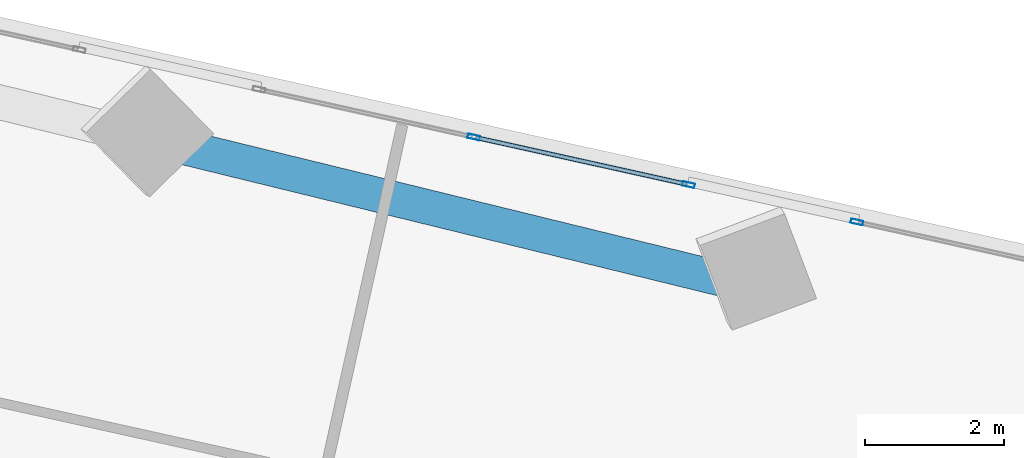
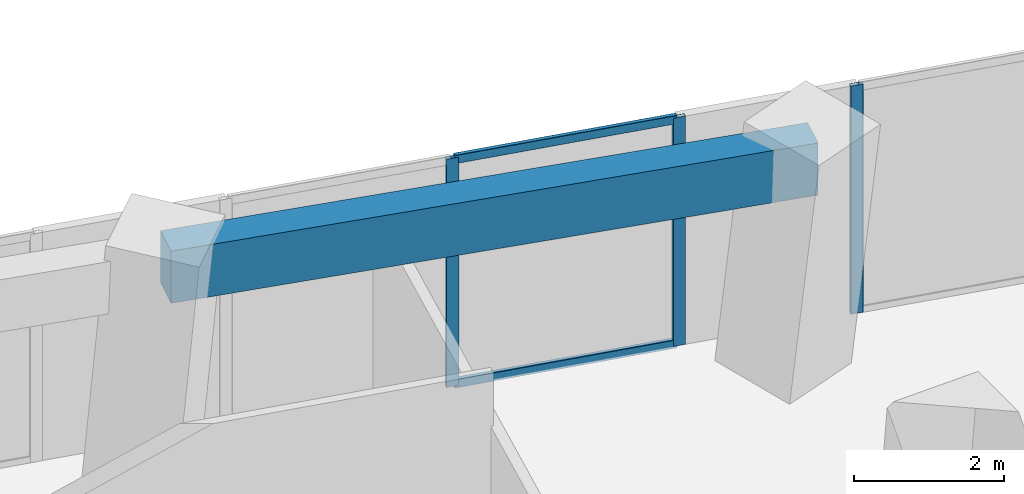
# One storey, part 18 of 25: 5 members, 1 beam, 2 elements without a shape of their own.
"""IFC4 building model written with IfcOpenShell, lengths in metres."""

from ifc_helpers import new_model, si_unit, direction, frame, origin, origin_2d, place, context, subcontext, project, spatial, rectangle, hollow_rectangle, extrude, source, transform, mapped, material, material_profile, profile_set, type_object, element, aggregate, save


model = new_model("IFC4")

# Units and contexts
model_context = context("Model", 3, precision=1e-05, world=origin(), true_north=direction((0.0, 1.0)))
body_context = subcontext(model_context, "Body", "Model", "MODEL_VIEW")
ifc_project = project(units=[si_unit("LENGTHUNIT", "METRE"), si_unit("AREAUNIT", "SQUARE_METRE"), si_unit("VOLUMEUNIT", "CUBIC_METRE"), si_unit("PLANEANGLEUNIT", "RADIAN"), si_unit("MASSUNIT", "GRAM", prefix="KILO")], contexts=[model_context])

# Site, building, storey
site_placement = place(None, origin())
site = spatial("IfcSite", under=ifc_project, at=site_placement, CompositionType="ELEMENT")
building_placement = place(site_placement, origin())
building = spatial("IfcBuilding", under=site, at=building_placement, Name="Torre Montelarca", CompositionType="ELEMENT")
storey_placement = place(building_placement, frame((0.0, 0.0, 91.60009765625)))
storey = spatial("IfcBuildingStorey", under=building, at=storey_placement, Name="L20", CompositionType="ELEMENT", Elevation=91.60009765625)

# Beam
ifc_material_1 = material(Name="Concrete C55/67", Category="concrete")
ifc_material_profile_1 = material_profile(ifc_material_1, rectangle(XDim=0.5, YDim=0.85009765625, at=origin_2d()), Name="RCB500X850", Category="concrete")
ifc_profile_set_1 = profile_set([ifc_material_profile_1], Name="Concrete C55/67")
beam_type = type_object("IfcBeamType", Name="BM-SP-RC850-EXT", PredefinedType="SPANDREL", material=ifc_profile_set_1)
shared_shape_1 = source(origin(), body_context, "Body", "SweptSolid", [
    extrude(rectangle(XDim=0.5, YDim=0.85009765625, at=origin_2d()), origin(), (0.0, 0.0, 1.0), 9.0),
])
beam_placement = place(storey_placement, frame((30.443359375, 45.40869140625, 3.534912109375), z_axis=(0.971335287657, -0.237713606997, 0.0), x_axis=(0.237713606997, 0.971335287657, 0.0)))
element("IfcBeam", 1, at=beam_placement, inside=storey, type_object=beam_type, Name="L20 Grid Girder X 27.0-36.0 at Y=47.1", PredefinedType="SPANDREL", context=body_context, shape_type="MappedRepresentation", body=[
    mapped(shared_shape_1, transform((0.0, 0.0, 0.0), scale=1.0)),
])

# Curtain wall, members
ifc_material_2 = material(Name="Insulated low-E laminated glass", Category="glass")
curtain_wall_type = type_object("IfcCurtainWallType", Name="CW-SYS-Z1", PredefinedType="USERDEFINED", material=ifc_material_2)
curtain_wall_1_placement = place(storey_placement, origin())
curtain_wall_1 = element("IfcCurtainWall", 2, at=curtain_wall_1_placement, inside=storey, type_object=curtain_wall_type, Name="L20 Curtain Wall Run CW-T3-L20-E08-B2", ObjectType="UNITISED GLAZING", PredefinedType="USERDEFINED")
ifc_material_3 = material(Name="Anodised aluminium AA 6063-T6", Category="aluminium")
ifc_material_profile_2 = material_profile(ifc_material_3, hollow_rectangle(XDim=0.06494140625, YDim=0.139892578125, WallThickness=0.00390625, InnerFilletRadius=0.00390625, OuterFilletRadius=0.008056640625, at=origin_2d()), Name="ALU65X140X4", Category="aluminium")
ifc_profile_set_2 = profile_set([ifc_material_profile_2], Name="Anodised aluminium AA 6063-T6")
member_type_1 = type_object("IfcMemberType", Name="CWT-ALU140", PredefinedType="USERDEFINED", material=ifc_profile_set_2)
shared_shape_2 = source(origin(), body_context, "Body", "SweptSolid", [
    extrude(hollow_rectangle(XDim=0.06494140625, YDim=0.139892578125, WallThickness=0.00390625, InnerFilletRadius=0.00390625, OuterFilletRadius=0.008056640625, at=origin_2d()), origin(), (0.0, 0.0, 1.0), 3.10791015625),
])
member_1_placement = place(storey_placement, frame((37.9677734375, 44.809326171875, 0.032470703125), z_axis=(-0.97629967995, 0.216423046207, 0.0), x_axis=(-0.216423046207, -0.97629967995, 0.0)))
member_1 = element("IfcMember", 3, at=member_1_placement, type_object=member_type_1, Name="CW transom 1.1", ObjectType="TRANSOM", PredefinedType="USERDEFINED", context=body_context, shape_type="MappedRepresentation", body=[
    mapped(shared_shape_2, transform((0.0, 0.0, 0.0), scale=1.0)),
])
member_2_placement = place(storey_placement, frame((37.9677734375, 44.809326171875, 3.6875), z_axis=(-0.97629967995, 0.216423046207, 0.0), x_axis=(-0.216423046207, -0.97629967995, 0.0)))
member_2 = element("IfcMember", 4, at=member_2_placement, type_object=member_type_1, Name="CW transom 1.2", ObjectType="TRANSOM", PredefinedType="USERDEFINED", context=body_context, shape_type="MappedRepresentation", body=[
    mapped(shared_shape_2, transform((0.0, 0.0, 0.0), scale=1.0)),
])

# Curtain wall, member
curtain_wall_2_placement = place(storey_placement, origin())
curtain_wall_2 = element("IfcCurtainWall", 5, at=curtain_wall_2_placement, inside=storey, type_object=curtain_wall_type, Name="L20 Curtain Wall Run CW-T3-L20-E08-B1", ObjectType="UNITISED GLAZING", PredefinedType="USERDEFINED")
ifc_material_profile_3 = material_profile(ifc_material_3, hollow_rectangle(XDim=0.06494140625, YDim=0.179931640625, WallThickness=0.00390625, InnerFilletRadius=0.00390625, OuterFilletRadius=0.008056640625, at=origin_2d()), Name="ALU65X180X4", Category="aluminium")
ifc_profile_set_3 = profile_set([ifc_material_profile_3], Name="Anodised aluminium AA 6063-T6")
member_type_2 = type_object("IfcMemberType", Name="CWM-ALU180", PredefinedType="MULLION", material=ifc_profile_set_3)
shared_shape_3 = source(origin(), body_context, "Body", "SweptSolid", [
    extrude(hollow_rectangle(XDim=0.06494140625, YDim=0.179931640625, WallThickness=0.00390625, InnerFilletRadius=0.00390625, OuterFilletRadius=0.008056640625, at=origin_2d()), origin(), (0.0, 0.0, 1.0), 3.719970703125),
])
member_3_placement = place(storey_placement, frame((40.428955078125, 44.263671875, 0.0), z_axis=(0.0, 0.0, 1.0), x_axis=(-0.216442538014, -0.976295358863, 0.0)))
member_3 = element("IfcMember", 6, at=member_3_placement, type_object=member_type_2, Name="CW mullion 3", PredefinedType="MULLION", context=body_context, shape_type="MappedRepresentation", body=[
    mapped(shared_shape_3, transform((0.0, 0.0, 0.0), scale=1.0)),
])
aggregate(curtain_wall_2, [member_3])

# Member
member_4_placement = place(storey_placement, frame((37.99951171875, 44.80224609375, 0.0), z_axis=(0.0, 0.0, 1.0), x_axis=(-0.216444858684, -0.976294844373, 0.0)))
member_4 = element("IfcMember", 7, at=member_4_placement, type_object=member_type_2, Name="CW mullion 1", PredefinedType="MULLION", context=body_context, shape_type="MappedRepresentation", body=[
    mapped(shared_shape_3, transform((0.0, 0.0, 0.0), scale=1.0)),
])

member_5_placement = place(storey_placement, frame((34.90185546875, 45.489013671875, 0.0), z_axis=(0.0, 0.0, 1.0), x_axis=(-0.216444858684, -0.976294844373, 0.0)))
member_5 = element("IfcMember", 8, at=member_5_placement, type_object=member_type_2, Name="CW mullion 2", PredefinedType="MULLION", context=body_context, shape_type="MappedRepresentation", body=[
    mapped(shared_shape_3, transform((0.0, 0.0, 0.0), scale=1.0)),
])

aggregate(curtain_wall_1, [member_4, member_5, member_1, member_2])

save(model, "model.ifc")
